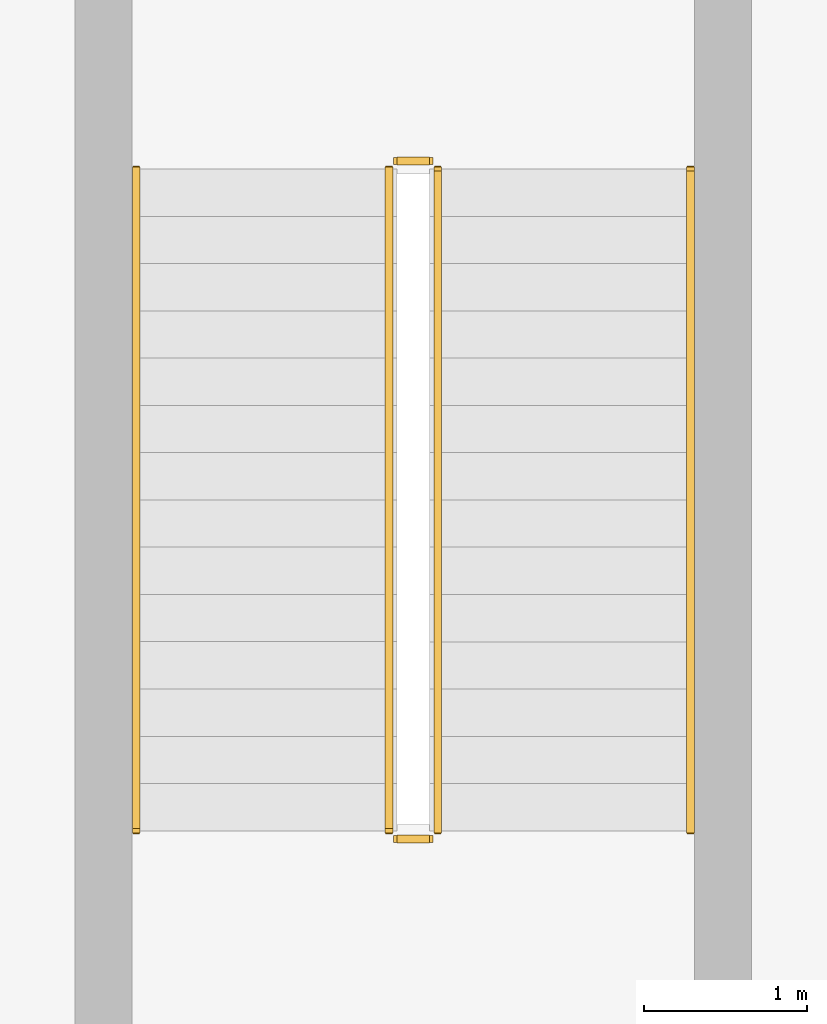
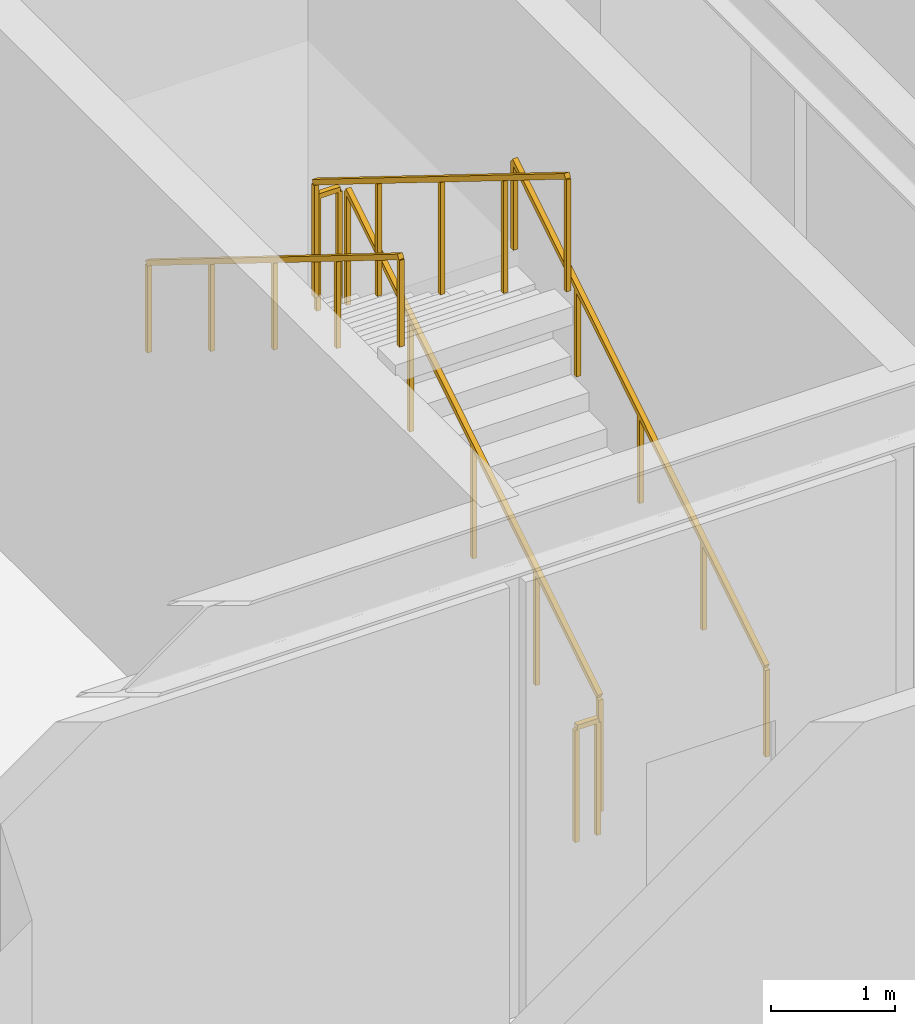
# One storey, part 28 of 28: 6 railings.
"""IFC4 building model written with IfcOpenShell, lengths in metres."""

from ifc_helpers import new_model, si_unit, direction, frame, origin, origin_2d, place, context, subcontext, project, spatial, rectangle, extrude, material, type_object, element, save


model = new_model("IFC4")

# Units and contexts
model_context = context("Model", 3, precision=1e-05, world=origin(), true_north=direction((0.0, 1.0)))
body_context = subcontext(model_context, "Body", "Model", "MODEL_VIEW")
ifc_project = project(units=[si_unit("LENGTHUNIT", "METRE"), si_unit("AREAUNIT", "SQUARE_METRE"), si_unit("VOLUMEUNIT", "CUBIC_METRE"), si_unit("PLANEANGLEUNIT", "RADIAN"), si_unit("MASSUNIT", "GRAM", prefix="KILO")], contexts=[model_context])

# Site, building, storey
site_placement = place(None, origin())
site = spatial("IfcSite", under=ifc_project, at=site_placement, CompositionType="ELEMENT")
building_placement = place(site_placement, origin())
building = spatial("IfcBuilding", under=site, at=building_placement, Name="Sarneth Arch Tower", CompositionType="ELEMENT")
storey_placement = place(building_placement, frame((0.0, 0.0, 6.0)))
storey = spatial("IfcBuildingStorey", under=building, at=storey_placement, Name="L01", CompositionType="ELEMENT", Elevation=6.0)

# Railings
ifc_material_1 = material(Name="Brushed Stainless Steel 304 tubular handrail", Category="steel")
railing_type_1 = type_object("IfcRailingType", Name="RAIL-HANDRAIL-900", PredefinedType="HANDRAIL", material=ifc_material_1)
railing_1_placement = place(storey_placement, frame((84.85009765625, 65.800048828125, 0.179931640625)))
element("IfcRailing", 1, at=railing_1_placement, inside=storey, type_object=railing_type_1, Name="L01 ST-P2 stair handrail 1", PredefinedType="HANDRAIL", context=body_context, shape_type="SweptSolid", body=[
    extrude(rectangle(XDim=0.048095703125, YDim=0.048095703125, at=origin_2d()), frame((0.0, 0.0, 0.8759765625), z_axis=(0.0, 0.849641744969, 0.527360318194), x_axis=(-1.0, 0.0, 0.0)), (0.0, 0.0, 1.0), 4.778564453125),
    extrude(rectangle(XDim=0.0419921875, YDim=0.0419921875, at=origin_2d()), origin(), (0.0, 0.0, 1.0), 0.851806640625),
    extrude(rectangle(XDim=0.0419921875, YDim=0.0419921875, at=origin_2d()), frame((0.0, 1.01513671875, 0.6298828125)), (0.0, 0.0, 1.0), 0.851806640625),
    extrude(rectangle(XDim=0.0419921875, YDim=0.0419921875, at=origin_2d()), frame((0.0, 2.030029296875, 1.260009765625)), (0.0, 0.0, 1.0), 0.851806640625),
    extrude(rectangle(XDim=0.0419921875, YDim=0.0419921875, at=origin_2d()), frame((0.0, 3.044921875, 1.89013671875)), (0.0, 0.0, 1.0), 0.851806640625),
    extrude(rectangle(XDim=0.0419921875, YDim=0.0419921875, at=origin_2d()), frame((0.0, 4.06005859375, 2.52001953125)), (0.0, 0.0, 1.0), 0.851806640625),
])
railing_2_placement = place(storey_placement, frame((81.449951171875, 69.860107421875, 2.8798828125)))
element("IfcRailing", 2, at=railing_2_placement, inside=storey, type_object=railing_type_1, Name="L01 ST-P2 stair handrail 2", PredefinedType="HANDRAIL", context=body_context, shape_type="SweptSolid", body=[
    extrude(rectangle(XDim=0.048095703125, YDim=0.048095703125, at=origin_2d()), frame((0.0, 0.0, 0.8759765625), z_axis=(0.0, -0.849641744969, 0.527360318194), x_axis=(1.0, 0.0, 0.0)), (0.0, 0.0, 1.0), 4.778564453125),
    extrude(rectangle(XDim=0.0419921875, YDim=0.0419921875, at=origin_2d()), origin(), (0.0, 0.0, 1.0), 0.851806640625),
    extrude(rectangle(XDim=0.0419921875, YDim=0.0419921875, at=origin_2d()), frame((0.0, -1.01513671875, 0.6298828125)), (0.0, 0.0, 1.0), 0.851806640625),
    extrude(rectangle(XDim=0.0419921875, YDim=0.0419921875, at=origin_2d()), frame((0.0, -2.030029296875, 1.260009765625)), (0.0, 0.0, 1.0), 0.851806640625),
    extrude(rectangle(XDim=0.0419921875, YDim=0.0419921875, at=origin_2d()), frame((0.0, -3.044921875, 1.89013671875)), (0.0, 0.0, 1.0), 0.851806640625),
    extrude(rectangle(XDim=0.0419921875, YDim=0.0419921875, at=origin_2d()), frame((0.0, -4.06005859375, 2.52001953125)), (0.0, 0.0, 1.0), 0.851806640625),
])
ifc_material_2 = material(Name="Painted Steel S275 stair well guard", Category="steel")
railing_type_2 = type_object("IfcRailingType", Name="RAIL-STAIR-GUARD", PredefinedType="GUARDRAIL", material=ifc_material_2)
railing_3_placement = place(storey_placement, frame((83.300048828125, 65.800048828125, 0.179931640625)))
element("IfcRailing", 3, at=railing_3_placement, inside=storey, type_object=railing_type_2, Name="L01 ST-P2 stair guard 1", PredefinedType="GUARDRAIL", context=body_context, shape_type="SweptSolid", body=[
    extrude(rectangle(XDim=0.048095703125, YDim=0.048095703125, at=origin_2d()), frame((0.0, 0.0, 1.1259765625), z_axis=(0.0, 0.849641744969, 0.527360318194), x_axis=(-1.0, 0.0, 0.0)), (0.0, 0.0, 1.0), 4.778564453125),
    extrude(rectangle(XDim=0.0419921875, YDim=0.0419921875, at=origin_2d()), origin(), (0.0, 0.0, 1.0), 1.101806640625),
    extrude(rectangle(XDim=0.0419921875, YDim=0.0419921875, at=origin_2d()), frame((0.0, 1.01513671875, 0.6298828125)), (0.0, 0.0, 1.0), 1.101806640625),
    extrude(rectangle(XDim=0.0419921875, YDim=0.0419921875, at=origin_2d()), frame((0.0, 2.030029296875, 1.260009765625)), (0.0, 0.0, 1.0), 1.101806640625),
    extrude(rectangle(XDim=0.0419921875, YDim=0.0419921875, at=origin_2d()), frame((0.0, 3.044921875, 1.89013671875)), (0.0, 0.0, 1.0), 1.101806640625),
    extrude(rectangle(XDim=0.0419921875, YDim=0.0419921875, at=origin_2d()), frame((0.0, 4.06005859375, 2.52001953125)), (0.0, 0.0, 1.0), 1.101806640625),
])
railing_4_placement = place(storey_placement, frame((83.25, 69.909912109375, 2.699951171875)))
element("IfcRailing", 4, at=railing_4_placement, inside=storey, type_object=railing_type_2, Name="L01 ST-P2 stair guard 2", PredefinedType="GUARDRAIL", context=body_context, shape_type="SweptSolid", body=[
    extrude(rectangle(XDim=0.048095703125, YDim=0.048095703125, at=origin_2d()), frame((0.0, 0.0, 1.1259765625), z_axis=(-1.0, 0.0, 0.0), x_axis=(0.0, -1.0, 0.0)), (0.0, 0.0, 1.0), 0.199951171875),
    extrude(rectangle(XDim=0.0419921875, YDim=0.0419921875, at=origin_2d()), origin(), (0.0, 0.0, 1.0), 1.101806640625),
    extrude(rectangle(XDim=0.0419921875, YDim=0.0419921875, at=origin_2d()), frame((-0.199951171875, 0.0, 0.0)), (0.0, 0.0, 1.0), 1.101806640625),
])
railing_5_placement = place(storey_placement, frame((83.0, 69.860107421875, 2.8798828125)))
element("IfcRailing", 5, at=railing_5_placement, inside=storey, type_object=railing_type_2, Name="L01 ST-P2 stair guard 3", PredefinedType="GUARDRAIL", context=body_context, shape_type="SweptSolid", body=[
    extrude(rectangle(XDim=0.048095703125, YDim=0.048095703125, at=origin_2d()), frame((0.0, 0.0, 1.1259765625), z_axis=(0.0, -0.849641744969, 0.527360318194), x_axis=(1.0, 0.0, 0.0)), (0.0, 0.0, 1.0), 4.778564453125),
    extrude(rectangle(XDim=0.0419921875, YDim=0.0419921875, at=origin_2d()), origin(), (0.0, 0.0, 1.0), 1.101806640625),
    extrude(rectangle(XDim=0.0419921875, YDim=0.0419921875, at=origin_2d()), frame((0.0, -1.01513671875, 0.6298828125)), (0.0, 0.0, 1.0), 1.101806640625),
    extrude(rectangle(XDim=0.0419921875, YDim=0.0419921875, at=origin_2d()), frame((0.0, -2.030029296875, 1.260009765625)), (0.0, 0.0, 1.0), 1.101806640625),
    extrude(rectangle(XDim=0.0419921875, YDim=0.0419921875, at=origin_2d()), frame((0.0, -3.044921875, 1.89013671875)), (0.0, 0.0, 1.0), 1.101806640625),
    extrude(rectangle(XDim=0.0419921875, YDim=0.0419921875, at=origin_2d()), frame((0.0, -4.06005859375, 2.52001953125)), (0.0, 0.0, 1.0), 1.101806640625),
])
railing_6_placement = place(storey_placement, frame((83.25, 65.75, 0.0)))
element("IfcRailing", 6, at=railing_6_placement, inside=storey, type_object=railing_type_2, Name="L01 ST-P2 stair guard 4", PredefinedType="GUARDRAIL", context=body_context, shape_type="SweptSolid", body=[
    extrude(rectangle(XDim=0.048095703125, YDim=0.048095703125, at=origin_2d()), frame((0.0, 0.0, 1.1259765625), z_axis=(-1.0, 0.0, 0.0), x_axis=(0.0, -1.0, 0.0)), (0.0, 0.0, 1.0), 0.199951171875),
    extrude(rectangle(XDim=0.0419921875, YDim=0.0419921875, at=origin_2d()), origin(), (0.0, 0.0, 1.0), 1.101806640625),
    extrude(rectangle(XDim=0.0419921875, YDim=0.0419921875, at=origin_2d()), frame((-0.199951171875, 0.0, 0.0)), (0.0, 0.0, 1.0), 1.101806640625),
])

save(model, "model.ifc")
